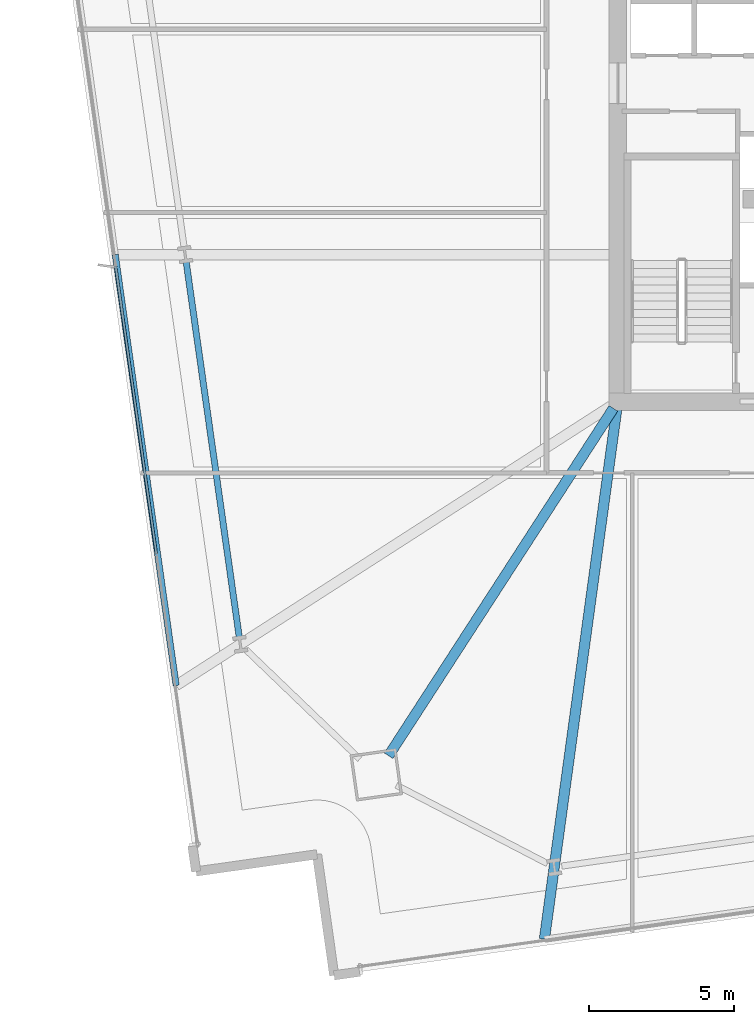
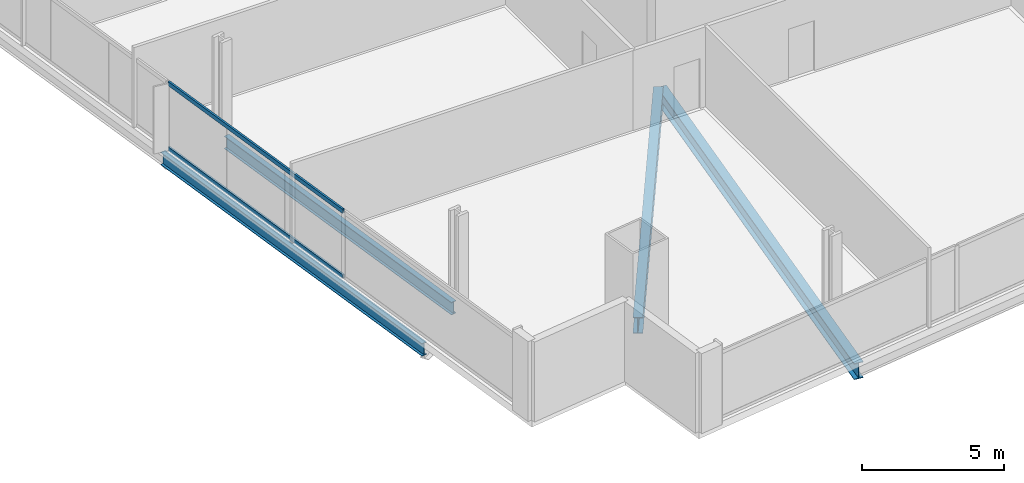
# One storey, part 6 of 33: 4 beams, 2 members, 1 element without a shape of its own.
"""IFC4 building model written with IfcOpenShell, lengths in metres."""

import ifcopenshell
import ifcopenshell.guid

model = None  # the IFC model being written
_history = None  # IfcOwnerHistory: only IFC2X3 demands one
_inside = {}  # id of a spatial element -> (the spatial element, [elements in it])
_under = {}  # id of a project, library or spatial element -> (it, [spatial elements below it])
_declared = {}  # id of a project -> (the project, [libraries it declares])
_typed = {}  # id of a type object -> (the type object, [elements of that type])
_made_of = {}  # id of a material, layer set ... -> (it, [elements and type objects made of it])


def new_model(schema):
    """Start an empty IFC model of exactly this schema.

    Asked for "IFC4X3", IfcOpenShell would pick the latest addendum, in which some entities
    have other attributes; the version numbers below select the first issue.
    IFC2X3 requires an IfcOwnerHistory on every rooted entity: one is made here for all.
    """
    global model, _history
    if schema == "IFC4X3":
        model = ifcopenshell.file(schema_version=(4, 3, 0, 0))
    else:
        model = ifcopenshell.file(schema=schema)
    _inside.clear()
    _under.clear()
    _declared.clear()
    _typed.clear()
    _made_of.clear()
    _history = None
    if model.schema == "IFC2X3":
        org = make("IfcOrganization", Name="unknown")
        user = make(
            "IfcPersonAndOrganization",
            ThePerson=make("IfcPerson", FamilyName="unknown"),
            TheOrganization=org,
        )
        app = make(
            "IfcApplication",
            ApplicationDeveloper=org,
            Version="unknown",
            ApplicationFullName="unknown",
            ApplicationIdentifier="unknown",
        )
        _history = make(
            "IfcOwnerHistory",
            OwningUser=user,
            OwningApplication=app,
            ChangeAction="ADDED",
            CreationDate=0,
        )
    return model


def make(cls, **values):
    """One entity of the class cls with the attributes given. An attribute that is None is left unset."""
    return model.create_entity(
        cls, **{name: value for name, value in values.items() if value is not None}
    )


def rooted(cls, **values):
    """An entity with a GlobalId (a new one), such as an element, a storey or a relation."""
    return make(cls, GlobalId=ifcopenshell.guid.new(), OwnerHistory=_history, **values)


def si_unit(unit_type, name, prefix=None):
    """IfcSIUnit, for example si_unit("LENGTHUNIT", "METRE", prefix="MILLI")."""
    return make("IfcSIUnit", UnitType=unit_type, Prefix=prefix, Name=name)


def assignment(units):
    """IfcUnitAssignment: the units of a project."""
    return None if units is None else make("IfcUnitAssignment", Units=units)


def point(xyz):
    """IfcCartesianPoint."""
    return None if xyz is None else make("IfcCartesianPoint", Coordinates=xyz)


def direction(xyz):
    """IfcDirection."""
    return None if xyz is None else make("IfcDirection", DirectionRatios=xyz)


def frame(location, z_axis=None, x_axis=None):
    """IfcAxis2Placement3D, a coordinate frame: its origin and axes. An axis left out is left unset."""
    return make(
        "IfcAxis2Placement3D",
        Location=point(location),
        Axis=direction(z_axis),
        RefDirection=direction(x_axis),
    )


def frame_2d(location, x_axis=None):
    """IfcAxis2Placement2D, a coordinate frame in the plane: its origin and x axis."""
    return make(
        "IfcAxis2Placement2D", Location=point(location), RefDirection=direction(x_axis)
    )


def origin():
    """The frame at (0, 0, 0) with its axes left unset."""
    return frame((0.0, 0.0, 0.0))


def origin_2d():
    """The frame at (0, 0) in the plane with its x axis left unset."""
    return frame_2d((0.0, 0.0))


def place(relative_to, where):
    """IfcLocalPlacement: puts the frame where relative to a parent placement (None: the world)."""
    return make(
        "IfcLocalPlacement", PlacementRelTo=relative_to, RelativePlacement=where
    )


def context(
    kind, dimensions, precision=None, world=None, true_north=None, identifier=None
):
    """IfcGeometricRepresentationContext, for example the 3D "Model" context."""
    return make(
        "IfcGeometricRepresentationContext",
        ContextIdentifier=identifier,
        ContextType=kind,
        CoordinateSpaceDimension=dimensions,
        Precision=precision,
        WorldCoordinateSystem=world,
        TrueNorth=true_north,
    )


def subcontext(parent, identifier, kind, view, scale=None):
    """IfcGeometricRepresentationSubContext, for example "Body" below "Model"."""
    return make(
        "IfcGeometricRepresentationSubContext",
        ContextIdentifier=identifier,
        ContextType=kind,
        ParentContext=parent,
        TargetScale=scale,
        TargetView=view,
    )


def project(units=None, contexts=None):
    """IfcProject with its units and contexts."""
    return rooted(
        "IfcProject",
        Name="project",
        RepresentationContexts=contexts,
        UnitsInContext=assignment(units),
    )


def spatial(cls, under=None, at=None, **own):
    """A site, building, storey or space (cls), placed at a placement, below another one or the project."""
    s = rooted(cls, ObjectPlacement=at, **own)
    if under is not None:
        _under.setdefault(under.id(), (under, []))[1].append(s)
    return s


def profile(cls, at=None, kind="AREA", **sizes):
    """A parametric profile (cls). Its sizes go by their IFC names, for example OverallWidth=200.0."""
    return make(cls, ProfileType=kind, Position=at, **sizes)


def hollow_rectangle(**sizes):
    """IfcRectangleHollowProfileDef."""
    return profile("IfcRectangleHollowProfileDef", **sizes)


def i_section(**sizes):
    """IfcIShapeProfileDef."""
    return profile("IfcIShapeProfileDef", **sizes)


def extrude(swept, where, along, depth):
    """IfcExtrudedAreaSolid: the profile swept, set in the frame where, extruded along a direction by depth."""
    return make(
        "IfcExtrudedAreaSolid",
        SweptArea=swept,
        Position=where,
        ExtrudedDirection=direction(along),
        Depth=depth,
    )


def shape(context_of_items, identifier, shape_type, items):
    """IfcShapeRepresentation: the items that make up one representation, for example the "Body"."""
    return make(
        "IfcShapeRepresentation",
        ContextOfItems=context_of_items,
        RepresentationIdentifier=identifier,
        RepresentationType=shape_type,
        Items=items,
    )


def material(Name=None, Category=None):
    """IfcMaterial."""
    return make("IfcMaterial", Name=Name, Category=Category)


def material_profile(
    of_material, cross_section, Name=None, Category=None, Priority=None
):
    """IfcMaterialProfile: a cross section and its material."""
    return make(
        "IfcMaterialProfile",
        Name=Name,
        Material=of_material,
        Profile=cross_section,
        Priority=Priority,
        Category=Category,
    )


def profile_set(profiles, Name=None, composite=None):
    """IfcMaterialProfileSet."""
    return make(
        "IfcMaterialProfileSet",
        Name=Name,
        MaterialProfiles=profiles,
        CompositeProfile=composite,
    )


def made_of(thing, what):
    """Note that an element or type object is made of a material, layer set ...; save() writes the relation."""
    if what is not None:
        _made_of.setdefault(what.id(), (what, []))[1].append(thing)
    return thing


def type_object(cls, material=None, **own):
    """A type object (cls), such as IfcWallType, which elements share."""
    return made_of(rooted(cls, **own), material)


def element(
    cls,
    number,
    at=None,
    inside=None,
    cuts=None,
    type_object=None,
    material=None,
    context=None,
    identifier="Body",
    shape_type=None,
    held_by="IfcProductDefinitionShape",
    body=None,
    shapes=None,
    **own,
):
    """One element of the class cls, such as IfcWall. Its Tag is "e" and its number.

    at: its placement. inside: the storey or other place that contains it. cuts: it is an
    opening in that element (IfcRelVoidsElement). A single representation is given by context,
    identifier, shape_type and body (its items); several are given by shapes. held_by: the class
    of the entity that holds the representations. save() writes the other relations.
    """
    e = rooted(cls, Tag="e%d" % number, ObjectPlacement=at, **own)
    if body is not None:
        shapes = [shape(context, identifier, shape_type, body)]
    if shapes is not None:
        e.Representation = make(held_by, Representations=shapes)
    if inside is not None:
        _inside.setdefault(inside.id(), (inside, []))[1].append(e)
    if cuts is not None:
        rooted(
            "IfcRelVoidsElement", RelatingBuildingElement=cuts, RelatedOpeningElement=e
        )
    if type_object is not None:
        _typed.setdefault(type_object.id(), (type_object, []))[1].append(e)
    return made_of(e, material)


def aggregate(whole, parts):
    """IfcRelAggregates: a whole, such as a stair, and the parts it consists of."""
    return rooted("IfcRelAggregates", RelatingObject=whole, RelatedObjects=parts)


def save(model, path):
    """Write the relations noted so far, then the file.

    IfcRelAggregates (storeys below a building ...), IfcRelContainedInSpatialStructure (elements
    in a storey), IfcRelDefinesByType, IfcRelAssociatesMaterial and IfcRelDeclares: one each for
    every whole, place, type object, material and project.
    """
    for whole, parts in _under.values():
        aggregate(whole, parts)
    for where, things in _inside.values():
        rooted(
            "IfcRelContainedInSpatialStructure",
            RelatedElements=things,
            RelatingStructure=where,
        )
    for kind, things in _typed.values():
        rooted("IfcRelDefinesByType", RelatedObjects=things, RelatingType=kind)
    for what, things in _made_of.values():
        rooted("IfcRelAssociatesMaterial", RelatedObjects=things, RelatingMaterial=what)
    for by, libraries in _declared.values():
        rooted("IfcRelDeclares", RelatingContext=by, RelatedDefinitions=libraries)
    model.write(path)


model = new_model("IFC4")

# Units and contexts
model_context = context("Model", 3, precision=1e-05, world=origin(), true_north=direction((0.0, 1.0)))
body_context = subcontext(model_context, "Body", "Model", "MODEL_VIEW")
ifc_project = project(units=[si_unit("LENGTHUNIT", "METRE"), si_unit("AREAUNIT", "SQUARE_METRE"), si_unit("VOLUMEUNIT", "CUBIC_METRE"), si_unit("PLANEANGLEUNIT", "RADIAN"), si_unit("MASSUNIT", "GRAM", prefix="KILO")], contexts=[model_context])

# Site, building, storey
site_placement = place(None, origin())
site = spatial("IfcSite", under=ifc_project, at=site_placement, CompositionType="ELEMENT")
building_placement = place(site_placement, origin())
building = spatial("IfcBuilding", under=site, at=building_placement, Name="Haldenkirk Collegiate Tower", CompositionType="ELEMENT")
storey_placement = place(building_placement, frame((0.0, 0.0, 55.199951171875)))
storey = spatial("IfcBuildingStorey", under=building, at=storey_placement, Name="L12", CompositionType="ELEMENT", Elevation=55.199951171875)

# Beams
ifc_material_1 = material(Name="Steel ASTM A992 Grade 50", Category="steel")
ifc_material_profile_1 = material_profile(ifc_material_1, i_section(OverallWidth=0.35498046875, OverallDepth=0.696044921875, WebThickness=0.015380859375, FlangeThickness=0.02490234375, at=origin_2d()), Name="W27X146")
ifc_profile_set_1 = profile_set([ifc_material_profile_1], Name="Steel ASTM A992 Grade 50")
beam_type_1 = type_object("IfcBeamType", Name="BM-GIRDER-W27X146", PredefinedType="BEAM", material=ifc_profile_set_1)
beam_1_placement = place(storey_placement, frame((19.1201171875, 5.826416015625, -0.657958984375), z_axis=(0.54339434448, 0.839477567531, 0.0), x_axis=(-0.839477567531, 0.54339434448, 0.0)))
element("IfcBeam", 1, at=beam_1_placement, inside=storey, type_object=beam_type_1, Name="L12 primary floor girder 01", PredefinedType="BEAM", context=body_context, shape_type="SweptSolid", body=[
    extrude(i_section(OverallWidth=0.35498046875, OverallDepth=0.696044921875, WebThickness=0.015380859375, FlangeThickness=0.02490234375, at=origin_2d()), origin(), (0.0, 0.0, 1.0), 14.221435546875),
])
beam_2_placement = place(storey_placement, frame((24.476806640625, -0.4794921875, -0.657958984375), z_axis=(0.135286369568, 0.990806539244, 0.0), x_axis=(-0.990806539244, 0.135286369568, 0.0)))
element("IfcBeam", 2, at=beam_2_placement, inside=storey, type_object=beam_type_1, Name="L12 primary floor girder 05", PredefinedType="BEAM", context=body_context, shape_type="SweptSolid", body=[
    extrude(i_section(OverallWidth=0.35498046875, OverallDepth=0.696044921875, WebThickness=0.015380859375, FlangeThickness=0.02490234375, at=origin_2d()), origin(), (0.0, 0.0, 1.0), 18.37109375),
])
ifc_material_profile_2 = material_profile(ifc_material_1, i_section(OverallWidth=0.2119140625, OverallDepth=0.5439453125, WebThickness=0.01318359375, FlangeThickness=0.021240234375, at=origin_2d()), Name="W21X83")
ifc_profile_set_2 = profile_set([ifc_material_profile_2], Name="Steel ASTM A992 Grade 50")
beam_type_2 = type_object("IfcBeamType", Name="BM-SPANDREL-W21X83", PredefinedType="SPANDREL", material=ifc_profile_set_2)
beam_3_placement = place(storey_placement, frame((12.16455078125, 22.791015625, -0.58203125), z_axis=(0.140043508171, -0.990145350855, 0.0), x_axis=(0.990145350855, 0.140043508171, 0.0)))
element("IfcBeam", 3, at=beam_3_placement, inside=storey, type_object=beam_type_2, Name="L12 perimeter spandrel beam 15", PredefinedType="SPANDREL", context=body_context, shape_type="SweptSolid", body=[
    extrude(i_section(OverallWidth=0.2119140625, OverallDepth=0.5439453125, WebThickness=0.01318359375, FlangeThickness=0.021240234375, at=origin_2d()), origin(), (0.0, 0.0, 1.0), 13.0),
])
beam_4_placement = place(storey_placement, frame((9.723876953125, 23.052978515625, -0.58203125), z_axis=(0.140025206742, -0.990147939187, 0.0), x_axis=(0.990147939187, 0.140025206742, 0.0)))
element("IfcBeam", 4, at=beam_4_placement, inside=storey, type_object=beam_type_2, Name="L12 outer facade edge beam 4B", PredefinedType="SPANDREL", context=body_context, shape_type="SweptSolid", body=[
    extrude(i_section(OverallWidth=0.2119140625, OverallDepth=0.5439453125, WebThickness=0.01318359375, FlangeThickness=0.021240234375, at=origin_2d()), origin(), (0.0, 0.0, 1.0), 14.959716796875),
])

# Curtain wall, members
ifc_material_2 = material(Name="Anodised architectural bronze aluminium", Category="aluminium")
curtain_wall_type = type_object("IfcCurtainWallType", Name="CW-SYS1-CONVEX-LOW", PredefinedType="USERDEFINED", material=ifc_material_2)
curtain_wall_placement = place(storey_placement, origin())
curtain_wall = element("IfcCurtainWall", 5, at=curtain_wall_placement, inside=storey, type_object=curtain_wall_type, Name="L12 Lower tower convex bronze-framed unitised curtain wall", ObjectType="UNITISED CURTAIN WALL", PredefinedType="USERDEFINED")
ifc_material_profile_3 = material_profile(ifc_material_2, hollow_rectangle(XDim=0.080078125, YDim=0.179931640625, WallThickness=0.0048828125, at=origin_2d()), Name="CW-TRN-1A")
ifc_profile_set_3 = profile_set([ifc_material_profile_3], Name="Anodised architectural bronze aluminium")
member_type = type_object("IfcMemberType", Name="CW-TRN-1A", PredefinedType="USERDEFINED", material=ifc_profile_set_3)
member_1_placement = place(storey_placement, frame((11.137451171875, 12.771728515625, 0.0400390625), z_axis=(-0.140025119457, 0.990147951531, 0.0), x_axis=(-0.990147951531, -0.140025119457, 0.0)))
member_1 = element("IfcMember", 6, at=member_1_placement, type_object=member_type, Name="CW-1A transom 2.1", ObjectType="TRANSOM", PredefinedType="USERDEFINED", context=body_context, shape_type="SweptSolid", body=[
    extrude(hollow_rectangle(XDim=0.080078125, YDim=0.179931640625, WallThickness=0.0048828125, at=origin_2d()), origin(), (0.0, 0.0, 1.0), 9.98876953125),
])
member_2_placement = place(storey_placement, frame((11.137451171875, 12.771728515625, 2.85107421875), z_axis=(-0.140025119457, 0.990147951531, 0.0), x_axis=(-0.990147951531, -0.140025119457, 0.0)))
member_2 = element("IfcMember", 7, at=member_2_placement, type_object=member_type, Name="CW-1A transom 2.2", ObjectType="TRANSOM", PredefinedType="USERDEFINED", context=body_context, shape_type="SweptSolid", body=[
    extrude(hollow_rectangle(XDim=0.080078125, YDim=0.179931640625, WallThickness=0.0048828125, at=origin_2d()), origin(), (0.0, 0.0, 1.0), 9.98876953125),
])
aggregate(curtain_wall, [member_1, member_2])

save(model, "model.ifc")
